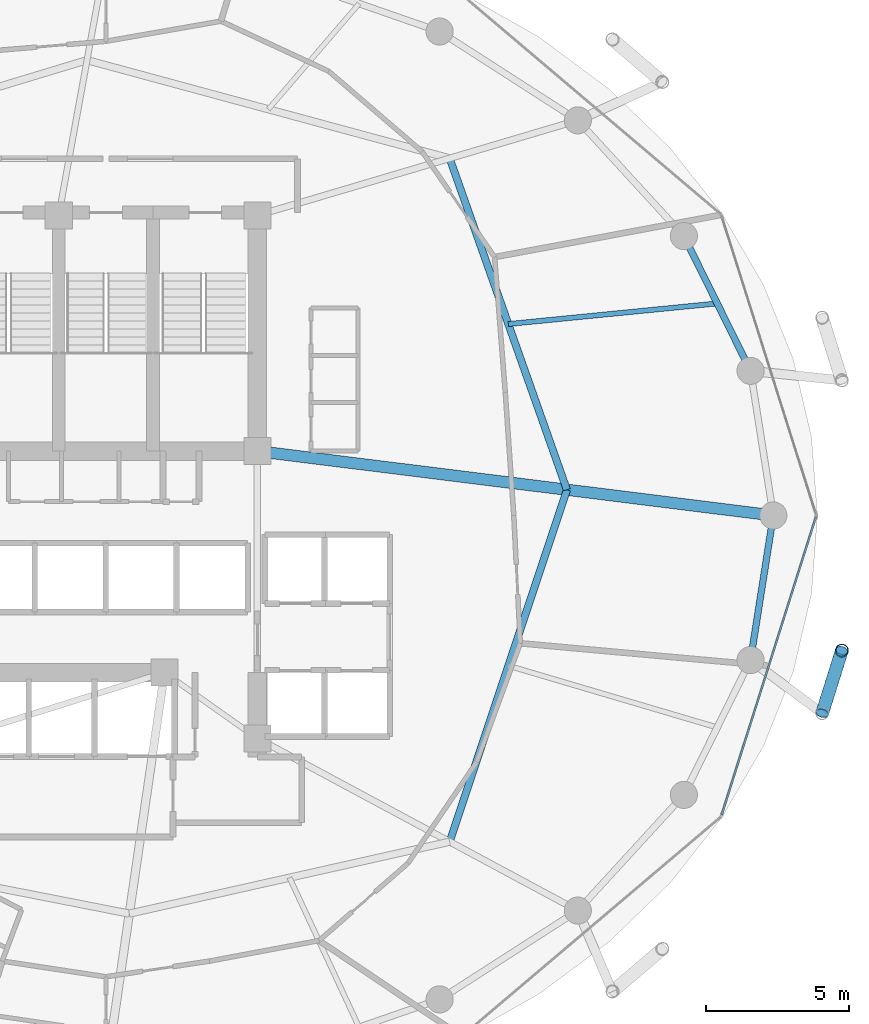
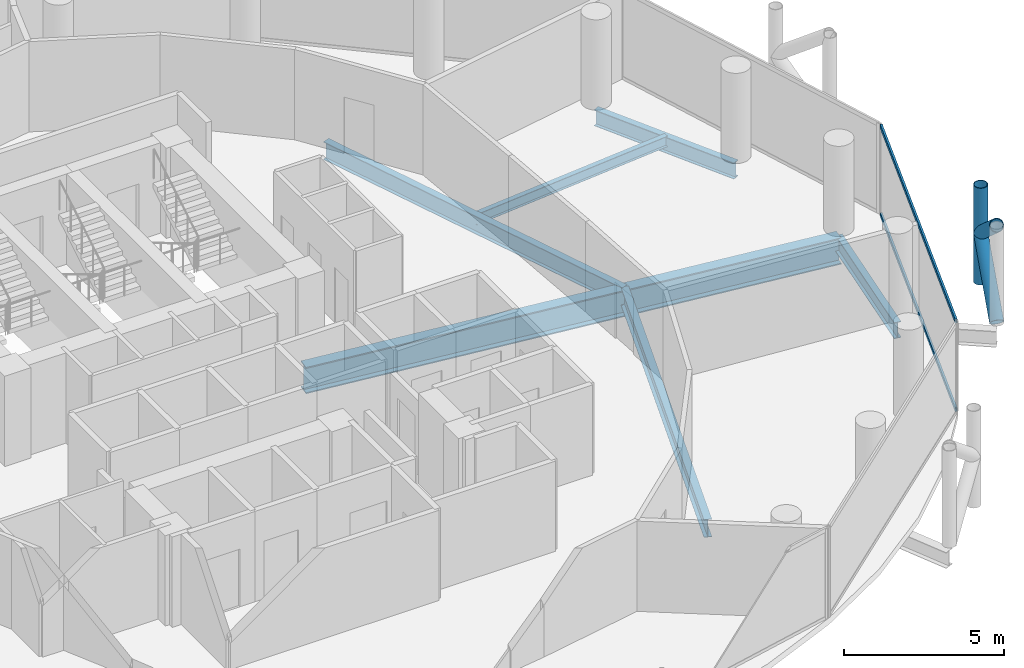
# One storey, part 11 of 26: 6 beams, 5 members, 1 element without a shape of its own.
"""IFC4 building model written with IfcOpenShell, lengths in metres."""

from ifc_helpers import new_model, si_unit, direction, frame, origin, origin_2d, place, context, subcontext, project, spatial, hollow_rectangle, hollow_circle, i_section, extrude, material, layer, layer_set, material_profile, profile_set, type_object, element, aggregate, save


model = new_model("IFC4")

# Units and contexts
model_context = context("Model", 3, precision=1e-05, world=origin(), true_north=direction((0.0, 1.0)))
body_context = subcontext(model_context, "Body", "Model", "MODEL_VIEW")
ifc_project = project(units=[si_unit("LENGTHUNIT", "METRE"), si_unit("AREAUNIT", "SQUARE_METRE"), si_unit("VOLUMEUNIT", "CUBIC_METRE"), si_unit("PLANEANGLEUNIT", "RADIAN"), si_unit("MASSUNIT", "GRAM", prefix="KILO")], contexts=[model_context])

# Site, building, storey
site_placement = place(None, origin())
site = spatial("IfcSite", under=ifc_project, at=site_placement, CompositionType="ELEMENT")
building_placement = place(site_placement, origin())
building = spatial("IfcBuilding", under=site, at=building_placement, Name="Nuhasar Tower", CompositionType="ELEMENT")
storey_placement = place(building_placement, frame((0.0, 0.0, 166.35009765625)))
storey = spatial("IfcBuildingStorey", under=building, at=storey_placement, Name="L40", CompositionType="ELEMENT", Elevation=166.35009765625)

# Beams
ifc_material_1 = material(Name="Steel S355", Category="steel")
ifc_material_profile_1 = material_profile(ifc_material_1, i_section(OverallWidth=0.25390625, OverallDepth=0.68408203125, WebThickness=0.012451171875, FlangeThickness=0.018798828125, at=origin_2d()), Name="W27X94")
ifc_profile_set_1 = profile_set([ifc_material_profile_1], Name="Steel S355")
beam_type_1 = type_object("IfcBeamType", Name="BM-INRING-W27X94", PredefinedType="BEAM", material=ifc_profile_set_1)
beam_1_placement = place(storey_placement, frame((51.027099609375, 15.385986328125, -0.592041015625), z_axis=(0.31609797573, 0.948726551615, 0.0), x_axis=(-0.948726551615, 0.31609797573, 0.0)))
element("IfcBeam", 1, at=beam_1_placement, inside=storey, type_object=beam_type_1, Name="L40 Inner Header Beam 03", PredefinedType="BEAM", context=body_context, shape_type="SweptSolid", body=[
    extrude(i_section(OverallWidth=0.25390625, OverallDepth=0.68408203125, WebThickness=0.012451171875, FlangeThickness=0.018798828125, at=origin_2d()), origin(), (0.0, 0.0, 1.0), 12.9794921875),
])
beam_2_placement = place(storey_placement, frame((55.1298828125, 27.699951171875, -0.592041015625), z_axis=(-0.333599821096, 0.942714781556, 0.0), x_axis=(-0.942714781556, -0.333599821096, 0.0)))
element("IfcBeam", 2, at=beam_2_placement, inside=storey, type_object=beam_type_1, Name="L40 Inner Header Beam 04", PredefinedType="BEAM", context=body_context, shape_type="SweptSolid", body=[
    extrude(i_section(OverallWidth=0.25390625, OverallDepth=0.68408203125, WebThickness=0.012451171875, FlangeThickness=0.018798828125, at=origin_2d()), origin(), (0.0, 0.0, 1.0), 12.298583984375),
])
ifc_material_profile_2 = material_profile(ifc_material_1, i_section(OverallWidth=0.177978515625, OverallDepth=0.406005859375, WebThickness=0.0078125, FlangeThickness=0.0126953125, at=origin_2d()), Name="W16X40")
ifc_profile_set_2 = profile_set([ifc_material_profile_2], Name="Steel S355")
beam_type_2 = type_object("IfcBeamType", Name="BM-JST-W16X40", PredefinedType="JOIST", material=ifc_profile_set_2)
beam_3_placement = place(storey_placement, frame((53.0791015625, 33.4970703125, -0.453125), z_axis=(0.995170244515, 0.098164068947, 0.0), x_axis=(-0.098164068947, 0.995170244515, 0.0)))
element("IfcBeam", 3, at=beam_3_placement, inside=storey, type_object=beam_type_2, Name="L40 Secondary Floor Joist 04", PredefinedType="JOIST", context=body_context, shape_type="SweptSolid", body=[
    extrude(i_section(OverallWidth=0.177978515625, OverallDepth=0.406005859375, WebThickness=0.0078125, FlangeThickness=0.0126953125, at=origin_2d()), origin(), (0.0, 0.0, 1.0), 7.34423828125),
])
ifc_material_profile_3 = material_profile(ifc_material_1, i_section(OverallWidth=0.22998046875, OverallDepth=0.616943359375, WebThickness=0.01318359375, FlangeThickness=0.022216796875, at=origin_2d()), Name="W24X94")
ifc_profile_set_3 = profile_set([ifc_material_profile_3], Name="Steel S355")
beam_type_3 = type_object("IfcBeamType", Name="BM-RING-W24X94", PredefinedType="SPANDREL", material=ifc_profile_set_3)
beam_4_placement = place(storey_placement, frame((61.553955078125, 31.860107421875, -0.55908203125), z_axis=(-0.443347771709, 0.896349682501, 0.0), x_axis=(-0.896349682501, -0.443347771709, 0.0)))
element("IfcBeam", 4, at=beam_4_placement, inside=storey, type_object=beam_type_3, Name="L40 Perimeter Ring Spandrel 02", PredefinedType="SPANDREL", context=body_context, shape_type="SweptSolid", body=[
    extrude(i_section(OverallWidth=0.22998046875, OverallDepth=0.616943359375, WebThickness=0.01318359375, FlangeThickness=0.022216796875, at=origin_2d()), origin(), (0.0, 0.0, 1.0), 5.260009765625),
])
beam_5_placement = place(storey_placement, frame((61.553955078125, 21.739990234375, -0.55908203125), z_axis=(0.155426543608, 0.987847452566, 0.0), x_axis=(-0.987847452566, 0.155426543608, 0.0)))
element("IfcBeam", 5, at=beam_5_placement, inside=storey, type_object=beam_type_3, Name="L40 Perimeter Ring Spandrel 24", PredefinedType="SPANDREL", context=body_context, shape_type="SweptSolid", body=[
    extrude(i_section(OverallWidth=0.22998046875, OverallDepth=0.616943359375, WebThickness=0.01318359375, FlangeThickness=0.022216796875, at=origin_2d()), origin(), (0.0, 0.0, 1.0), 5.122314453125),
])
ifc_material_2 = material(Name="Steel S460", Category="steel")
ifc_material_profile_4 = material_profile(ifc_material_2, i_section(OverallWidth=0.40087890625, OverallDepth=1.010009765625, WebThickness=0.023681640625, FlangeThickness=0.0419921875, at=origin_2d()), Name="W40X297")
ifc_profile_set_4 = profile_set([ifc_material_profile_4], Name="Steel S460")
beam_type_4 = type_object("IfcBeamType", Name="BM-XFER-W40X297", PredefinedType="USERDEFINED", material=ifc_profile_set_4)
beam_6_placement = place(storey_placement, frame((44.300048828125, 29.050048828125, -0.755126953125), z_axis=(0.992320149485, -0.123696082908, 0.0), x_axis=(0.123696082908, 0.992320149485, 0.0)))
element("IfcBeam", 6, at=beam_6_placement, inside=storey, type_object=beam_type_4, Name="L40 Radial Floor Girder 04", ObjectType="GIRDER", PredefinedType="USERDEFINED", context=body_context, shape_type="SweptSolid", body=[
    extrude(i_section(OverallWidth=0.40087890625, OverallDepth=1.010009765625, WebThickness=0.023681640625, FlangeThickness=0.0419921875, at=origin_2d()), origin(), (0.0, 0.0, 1.0), 18.189697265625),
])

# Curtain wall, members
ifc_material_3 = material(Name="Aluminium 6063-T6", Category="aluminium")
ifc_layer = layer(ifc_material_3, 0.199951171875)
ifc_layer_set = layer_set([ifc_layer], Name="Aluminium 6063-T6")
curtain_wall_type = type_object("IfcCurtainWallType", Name="CW-Z2-HTL", PredefinedType="NOTDEFINED", material=ifc_layer_set)
curtain_wall_placement = place(storey_placement, origin())
curtain_wall = element("IfcCurtainWall", 7, at=curtain_wall_placement, inside=storey, type_object=curtain_wall_type, Name="L40 Unitised Curtain Wall 12", PredefinedType="NOTDEFINED")
ifc_material_profile_5 = material_profile(ifc_material_3, hollow_rectangle(XDim=0.070068359375, YDim=0.159912109375, WallThickness=0.00439453125, at=origin_2d()), Name="CWT-3")
ifc_profile_set_5 = profile_set([ifc_material_profile_5], Name="Aluminium 6063-T6")
member_type_1 = type_object("IfcMemberType", Name="CW-TRN-S3", PredefinedType="USERDEFINED", material=ifc_profile_set_5)
member_1_placement = place(storey_placement, frame((60.550048828125, 16.336669921875, 0.034912109375), z_axis=(0.301608163352, 0.953431967053, 0.0), x_axis=(-0.953431967053, 0.301608163352, 0.0)))
member_1 = element("IfcMember", 8, at=member_1_placement, type_object=member_type_1, Name="CW-Z2 transom 1.1", ObjectType="TRANSOM", PredefinedType="USERDEFINED", context=body_context, shape_type="SweptSolid", body=[
    extrude(hollow_rectangle(XDim=0.070068359375, YDim=0.159912109375, WallThickness=0.00439453125, at=origin_2d()), origin(), (0.0, 0.0, 1.0), 10.904296875),
])
member_2_placement = place(storey_placement, frame((60.550048828125, 16.336669921875, 3.414794921875), z_axis=(0.301608163352, 0.953431967053, 0.0), x_axis=(-0.953431967053, 0.301608163352, 0.0)))
member_2 = element("IfcMember", 9, at=member_2_placement, type_object=member_type_1, Name="CW-Z2 transom 1.2", ObjectType="TRANSOM", PredefinedType="USERDEFINED", context=body_context, shape_type="SweptSolid", body=[
    extrude(hollow_rectangle(XDim=0.070068359375, YDim=0.159912109375, WallThickness=0.00439453125, at=origin_2d()), origin(), (0.0, 0.0, 1.0), 10.904296875),
])
aggregate(curtain_wall, [member_1, member_2])

# Members
ifc_material_profile_6 = material_profile(ifc_material_2, hollow_circle(Radius=0.228515625, WallThickness=0.022216796875, at=origin_2d()), Name="HSS457X22.2")
ifc_profile_set_6 = profile_set([ifc_material_profile_6], Name="Steel S460")
member_type_2 = type_object("IfcMemberType", Name="EXO-BRONZE-457", PredefinedType="BRACE", material=ifc_profile_set_6)
member_3_placement = place(storey_placement, frame((64.748046875, 22.073974609375, 0.0), z_axis=(0.0, 0.0, 1.0), x_axis=(1.0, 0.0, 0.0)))
element("IfcMember", 10, at=member_3_placement, inside=storey, type_object=member_type_2, Name="L40 Exoskeleton Chord Column EC-12B", PredefinedType="BRACE", context=body_context, shape_type="SweptSolid", body=[
    extrude(hollow_circle(Radius=0.228515625, WallThickness=0.022216796875, at=origin_2d()), origin(), (0.0, 0.0, 1.0), 3.699951171875),
])
member_4_placement = place(storey_placement, frame((64.06005859375, 19.87890625, 0.0), z_axis=(0.233067628236, 0.74361641074, 0.626669062861), x_axis=(-0.954228474306, 0.29907861646, 0.0)))
element("IfcMember", 11, at=member_4_placement, inside=storey, type_object=member_type_2, Name="L40 Bronze Diagrid Brace W1-12", PredefinedType="BRACE", context=body_context, shape_type="SweptSolid", body=[
    extrude(hollow_circle(Radius=0.228515625, WallThickness=0.022216796875, at=origin_2d()), origin(), (0.0, 0.0, 1.0), 2.951904296875),
])
member_5_placement = place(storey_placement, frame((64.748046875, 22.073974609375, 1.849853515625), z_axis=(-0.233055548538, -0.743577869731, 0.626719285599), x_axis=(0.954228474306, -0.29907861646, 0.0)))
element("IfcMember", 12, at=member_5_placement, inside=storey, type_object=member_type_2, Name="L40 Bronze Diagrid Brace W2-12", PredefinedType="BRACE", context=body_context, shape_type="SweptSolid", body=[
    extrude(hollow_circle(Radius=0.228515625, WallThickness=0.022216796875, at=origin_2d()), origin(), (0.0, 0.0, 1.0), 2.9521484375),
])

save(model, "model.ifc")
